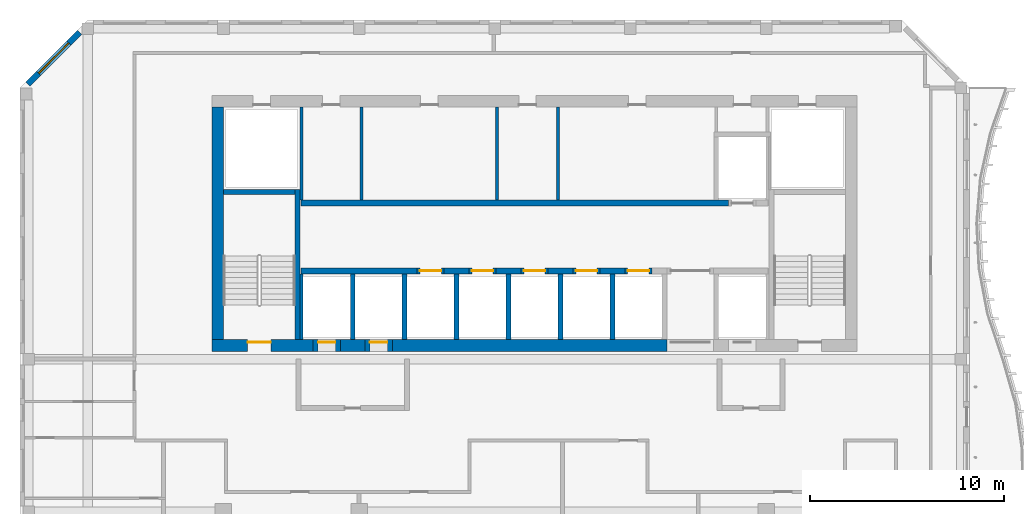
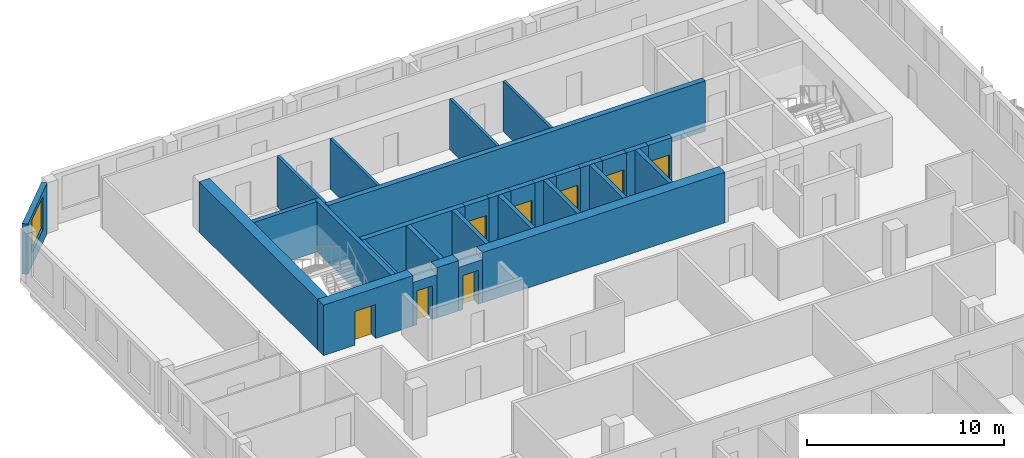
# One storey, part 6 of 17: 31 walls, 8 doors, 1 window, 9 openings.
"""IFC4 building model written with IfcOpenShell, lengths in metres."""

import ifcopenshell
import ifcopenshell.guid

model = None  # the IFC model being written
_history = None  # IfcOwnerHistory: only IFC2X3 demands one
_inside = {}  # id of a spatial element -> (the spatial element, [elements in it])
_under = {}  # id of a project, library or spatial element -> (it, [spatial elements below it])
_declared = {}  # id of a project -> (the project, [libraries it declares])
_typed = {}  # id of a type object -> (the type object, [elements of that type])
_made_of = {}  # id of a material, layer set ... -> (it, [elements and type objects made of it])


def new_model(schema):
    """Start an empty IFC model of exactly this schema.

    Asked for "IFC4X3", IfcOpenShell would pick the latest addendum, in which some entities
    have other attributes; the version numbers below select the first issue.
    IFC2X3 requires an IfcOwnerHistory on every rooted entity: one is made here for all.
    """
    global model, _history
    if schema == "IFC4X3":
        model = ifcopenshell.file(schema_version=(4, 3, 0, 0))
    else:
        model = ifcopenshell.file(schema=schema)
    _inside.clear()
    _under.clear()
    _declared.clear()
    _typed.clear()
    _made_of.clear()
    _history = None
    if model.schema == "IFC2X3":
        org = make("IfcOrganization", Name="unknown")
        user = make(
            "IfcPersonAndOrganization",
            ThePerson=make("IfcPerson", FamilyName="unknown"),
            TheOrganization=org,
        )
        app = make(
            "IfcApplication",
            ApplicationDeveloper=org,
            Version="unknown",
            ApplicationFullName="unknown",
            ApplicationIdentifier="unknown",
        )
        _history = make(
            "IfcOwnerHistory",
            OwningUser=user,
            OwningApplication=app,
            ChangeAction="ADDED",
            CreationDate=0,
        )
    return model


def make(cls, **values):
    """One entity of the class cls with the attributes given. An attribute that is None is left unset."""
    return model.create_entity(
        cls, **{name: value for name, value in values.items() if value is not None}
    )


def rooted(cls, **values):
    """An entity with a GlobalId (a new one), such as an element, a storey or a relation."""
    return make(cls, GlobalId=ifcopenshell.guid.new(), OwnerHistory=_history, **values)


def si_unit(unit_type, name, prefix=None):
    """IfcSIUnit, for example si_unit("LENGTHUNIT", "METRE", prefix="MILLI")."""
    return make("IfcSIUnit", UnitType=unit_type, Prefix=prefix, Name=name)


def assignment(units):
    """IfcUnitAssignment: the units of a project."""
    return None if units is None else make("IfcUnitAssignment", Units=units)


def point(xyz):
    """IfcCartesianPoint."""
    return None if xyz is None else make("IfcCartesianPoint", Coordinates=xyz)


def direction(xyz):
    """IfcDirection."""
    return None if xyz is None else make("IfcDirection", DirectionRatios=xyz)


def frame(location, z_axis=None, x_axis=None):
    """IfcAxis2Placement3D, a coordinate frame: its origin and axes. An axis left out is left unset."""
    return make(
        "IfcAxis2Placement3D",
        Location=point(location),
        Axis=direction(z_axis),
        RefDirection=direction(x_axis),
    )


def frame_2d(location, x_axis=None):
    """IfcAxis2Placement2D, a coordinate frame in the plane: its origin and x axis."""
    return make(
        "IfcAxis2Placement2D", Location=point(location), RefDirection=direction(x_axis)
    )


def origin():
    """The frame at (0, 0, 0) with its axes left unset."""
    return frame((0.0, 0.0, 0.0))


def place(relative_to, where):
    """IfcLocalPlacement: puts the frame where relative to a parent placement (None: the world)."""
    return make(
        "IfcLocalPlacement", PlacementRelTo=relative_to, RelativePlacement=where
    )


def context(
    kind, dimensions, precision=None, world=None, true_north=None, identifier=None
):
    """IfcGeometricRepresentationContext, for example the 3D "Model" context."""
    return make(
        "IfcGeometricRepresentationContext",
        ContextIdentifier=identifier,
        ContextType=kind,
        CoordinateSpaceDimension=dimensions,
        Precision=precision,
        WorldCoordinateSystem=world,
        TrueNorth=true_north,
    )


def subcontext(parent, identifier, kind, view, scale=None):
    """IfcGeometricRepresentationSubContext, for example "Body" below "Model"."""
    return make(
        "IfcGeometricRepresentationSubContext",
        ContextIdentifier=identifier,
        ContextType=kind,
        ParentContext=parent,
        TargetScale=scale,
        TargetView=view,
    )


def project(units=None, contexts=None):
    """IfcProject with its units and contexts."""
    return rooted(
        "IfcProject",
        Name="project",
        RepresentationContexts=contexts,
        UnitsInContext=assignment(units),
    )


def spatial(cls, under=None, at=None, **own):
    """A site, building, storey or space (cls), placed at a placement, below another one or the project."""
    s = rooted(cls, ObjectPlacement=at, **own)
    if under is not None:
        _under.setdefault(under.id(), (under, []))[1].append(s)
    return s


def profile(cls, at=None, kind="AREA", **sizes):
    """A parametric profile (cls). Its sizes go by their IFC names, for example OverallWidth=200.0."""
    return make(cls, ProfileType=kind, Position=at, **sizes)


def rectangle(**sizes):
    """IfcRectangleProfileDef."""
    return profile("IfcRectangleProfileDef", **sizes)


def extrude(swept, where, along, depth):
    """IfcExtrudedAreaSolid: the profile swept, set in the frame where, extruded along a direction by depth."""
    return make(
        "IfcExtrudedAreaSolid",
        SweptArea=swept,
        Position=where,
        ExtrudedDirection=direction(along),
        Depth=depth,
    )


def shape(context_of_items, identifier, shape_type, items):
    """IfcShapeRepresentation: the items that make up one representation, for example the "Body"."""
    return make(
        "IfcShapeRepresentation",
        ContextOfItems=context_of_items,
        RepresentationIdentifier=identifier,
        RepresentationType=shape_type,
        Items=items,
    )


def source(mapping_origin, context_of_items, identifier, shape_type, items):
    """IfcRepresentationMap: a shape defined once, which mapped items show again and again."""
    return make(
        "IfcRepresentationMap",
        MappingOrigin=mapping_origin,
        MappedRepresentation=shape(context_of_items, identifier, shape_type, items),
    )


def transform(
    local_origin,
    x_axis=None,
    y_axis=None,
    z_axis=None,
    scale=None,
    scale2=None,
    scale3=None,
    uniform=True,
):
    """IfcCartesianTransformationOperator3D, or its non-uniform kind. x_axis, y_axis, z_axis: its Axis1, 2, 3."""
    if uniform:
        return make(
            "IfcCartesianTransformationOperator3D",
            Axis1=direction(x_axis),
            Axis2=direction(y_axis),
            LocalOrigin=point(local_origin),
            Scale=scale,
            Axis3=direction(z_axis),
        )
    return make(
        "IfcCartesianTransformationOperator3DnonUniform",
        Axis1=direction(x_axis),
        Axis2=direction(y_axis),
        LocalOrigin=point(local_origin),
        Scale=scale,
        Axis3=direction(z_axis),
        Scale2=scale2,
        Scale3=scale3,
    )


def mapped(mapping_source, mapping_target):
    """IfcMappedItem: shows the shape of a source again, moved by a transform."""
    return make(
        "IfcMappedItem", MappingSource=mapping_source, MappingTarget=mapping_target
    )


def material(Name=None, Category=None):
    """IfcMaterial."""
    return make("IfcMaterial", Name=Name, Category=Category)


def layer(
    of_material, thickness, ventilated=None, Name=None, Category=None, Priority=None
):
    """IfcMaterialLayer: one layer of a wall or slab, of a material (None: an air gap)."""
    return make(
        "IfcMaterialLayer",
        Material=of_material,
        LayerThickness=thickness,
        IsVentilated=ventilated,
        Name=Name,
        Category=Category,
        Priority=Priority,
    )


def layer_set(layers, Name=None):
    """IfcMaterialLayerSet."""
    return make("IfcMaterialLayerSet", MaterialLayers=layers, LayerSetName=Name)


def made_of(thing, what):
    """Note that an element or type object is made of a material, layer set ...; save() writes the relation."""
    if what is not None:
        _made_of.setdefault(what.id(), (what, []))[1].append(thing)
    return thing


def type_object(cls, material=None, **own):
    """A type object (cls), such as IfcWallType, which elements share."""
    return made_of(rooted(cls, **own), material)


def element(
    cls,
    number,
    at=None,
    inside=None,
    cuts=None,
    type_object=None,
    material=None,
    context=None,
    identifier="Body",
    shape_type=None,
    held_by="IfcProductDefinitionShape",
    body=None,
    shapes=None,
    **own,
):
    """One element of the class cls, such as IfcWall. Its Tag is "e" and its number.

    at: its placement. inside: the storey or other place that contains it. cuts: it is an
    opening in that element (IfcRelVoidsElement). A single representation is given by context,
    identifier, shape_type and body (its items); several are given by shapes. held_by: the class
    of the entity that holds the representations. save() writes the other relations.
    """
    e = rooted(cls, Tag="e%d" % number, ObjectPlacement=at, **own)
    if body is not None:
        shapes = [shape(context, identifier, shape_type, body)]
    if shapes is not None:
        e.Representation = make(held_by, Representations=shapes)
    if inside is not None:
        _inside.setdefault(inside.id(), (inside, []))[1].append(e)
    if cuts is not None:
        rooted(
            "IfcRelVoidsElement", RelatingBuildingElement=cuts, RelatedOpeningElement=e
        )
    if type_object is not None:
        _typed.setdefault(type_object.id(), (type_object, []))[1].append(e)
    return made_of(e, material)


def fill(opening, filler):
    """IfcRelFillsElement: the door or window that sits in an opening."""
    return rooted(
        "IfcRelFillsElement",
        RelatingOpeningElement=opening,
        RelatedBuildingElement=filler,
    )


def aggregate(whole, parts):
    """IfcRelAggregates: a whole, such as a stair, and the parts it consists of."""
    return rooted("IfcRelAggregates", RelatingObject=whole, RelatedObjects=parts)


def save(model, path):
    """Write the relations noted so far, then the file.

    IfcRelAggregates (storeys below a building ...), IfcRelContainedInSpatialStructure (elements
    in a storey), IfcRelDefinesByType, IfcRelAssociatesMaterial and IfcRelDeclares: one each for
    every whole, place, type object, material and project.
    """
    for whole, parts in _under.values():
        aggregate(whole, parts)
    for where, things in _inside.values():
        rooted(
            "IfcRelContainedInSpatialStructure",
            RelatedElements=things,
            RelatingStructure=where,
        )
    for kind, things in _typed.values():
        rooted("IfcRelDefinesByType", RelatedObjects=things, RelatingType=kind)
    for what, things in _made_of.values():
        rooted("IfcRelAssociatesMaterial", RelatedObjects=things, RelatingMaterial=what)
    for by, libraries in _declared.values():
        rooted("IfcRelDeclares", RelatingContext=by, RelatedDefinitions=libraries)
    model.write(path)


model = new_model("IFC4")

# Units and contexts
model_context = context("Model", 3, precision=1e-05, world=origin(), true_north=direction((0.0, 1.0)))
body_context = subcontext(model_context, "Body", "Model", "MODEL_VIEW")
ifc_project = project(units=[si_unit("LENGTHUNIT", "METRE"), si_unit("AREAUNIT", "SQUARE_METRE"), si_unit("VOLUMEUNIT", "CUBIC_METRE"), si_unit("PLANEANGLEUNIT", "RADIAN"), si_unit("MASSUNIT", "GRAM", prefix="KILO")], contexts=[model_context])

# Site, building, storey
site_placement = place(None, origin())
site = spatial("IfcSite", under=ifc_project, at=site_placement, CompositionType="ELEMENT")
building_placement = place(site_placement, origin())
building = spatial("IfcBuilding", under=site, at=building_placement, Name="Kilnfold Tower and Market Hall", CompositionType="ELEMENT")
storey_placement = place(building_placement, frame((0.0, 0.0, 308.60009765625)))
storey = spatial("IfcBuildingStorey", under=building, at=storey_placement, Name="L77", CompositionType="ELEMENT", Elevation=308.60009765625)

# Walls
ifc_material_1 = material(Name="Concrete C50", Category="concrete")
ifc_layer_1 = layer(ifc_material_1, 0.25)
ifc_layer_set_1 = layer_set([ifc_layer_1], Name="Concrete C50")
wall_type_1 = type_object("IfcWallType", Name="CORE WALL 250 C50", PredefinedType="SHEAR", material=ifc_layer_set_1)
shared_shape_1 = source(origin(), body_context, "Body", "SweptSolid", [
    extrude(rectangle(XDim=7.75, YDim=0.25, at=frame_2d((3.875, 0.0))), origin(), (0.0, 0.0, 1.0), 3.119873046875),
])
wall_1_placement = place(storey_placement, frame((-11.175048828125, 9.0, 0.0), z_axis=(0.0, 0.0, 1.0), x_axis=(0.0, 1.0, 0.0)))
element("IfcWall", 1, at=wall_1_placement, inside=storey, type_object=wall_type_1, Name="Stair enclosure ST1", PredefinedType="SHEAR", context=body_context, shape_type="MappedRepresentation", body=[
    mapped(shared_shape_1, transform((0.0, 0.0, 0.0))),
])
shared_shape_2 = source(origin(), body_context, "Body", "SweptSolid", [
    extrude(rectangle(XDim=3.699951171875, YDim=0.25, at=frame_2d((1.85009765625, 0.0))), origin(), (0.0, 0.0, 1.0), 3.119873046875),
])
wall_2_placement = place(storey_placement, frame((-15.0, 16.625, 0.0), z_axis=(0.0, 0.0, 1.0), x_axis=(1.0, 0.0, 0.0)))
element("IfcWall", 2, at=wall_2_placement, inside=storey, type_object=wall_type_1, Name="Stair enclosure ST1", PredefinedType="SHEAR", context=body_context, shape_type="MappedRepresentation", body=[
    mapped(shared_shape_2, transform((0.0, 0.0, 0.0))),
])
ifc_material_2 = material(Name="Concrete C50", Category="concrete")
ifc_layer_2 = layer(ifc_material_2, 0.300048828125)
ifc_layer_set_2 = layer_set([ifc_layer_2], Name="Concrete C50")
wall_type_2 = type_object("IfcWallType", Name="CORE WALL 300 C50", PredefinedType="SHEAR", material=ifc_layer_set_2)
shared_shape_3 = source(origin(), body_context, "Body", "SweptSolid", [
    extrude(rectangle(XDim=6.0, YDim=0.300048828125, at=frame_2d((3.0, 0.0))), origin(), (0.0, 0.0, 1.0), 3.119873046875),
])
wall_3_placement = place(storey_placement, frame((-11.010009765625, 12.550048828125, 0.0), z_axis=(0.0, 0.0, 1.0), x_axis=(1.0, 0.0, 0.0)))
element("IfcWall", 3, at=wall_3_placement, inside=storey, type_object=wall_type_2, Name="Core spine wall", PredefinedType="SHEAR", context=body_context, shape_type="MappedRepresentation", body=[
    mapped(shared_shape_3, transform((0.0, 0.0, 0.0))),
])
shared_shape_4 = source(origin(), body_context, "Body", "SweptSolid", [
    extrude(rectangle(XDim=1.280029296875, YDim=0.300048828125, at=frame_2d((0.64013671875, 0.0))), origin(), (0.0, 0.0, 1.0), 3.119873046875),
])
for number, where, z_axis, x_axis, name in (
    (4, (-3.610107421875, 12.550048828125, 0.0), (0.0, 0.0, 1.0), (1.0, 0.0, 0.0), "Core spine wall"),
    (5, (-0.929931640625, 12.550048828125, 0.0), (0.0, 0.0, 1.0), (1.0, 0.0, 0.0), "Core spine wall"),
    (6, (1.75, 12.550048828125, 0.0), (0.0, 0.0, 1.0), (1.0, 0.0, 0.0), "Core spine wall"),
    (7, (4.429931640625, 12.550048828125, 0.0), (0.0, 0.0, 1.0), (1.0, 0.0, 0.0), "Core spine wall"),
):
    element("IfcWall", number, at=place(storey_placement, frame(where, z_axis=z_axis, x_axis=x_axis)), inside=storey, type_object=wall_type_2, Name=name, PredefinedType="SHEAR", context=body_context, shape_type="MappedRepresentation", body=[
        mapped(shared_shape_4, transform((0.0, 0.0, 0.0))),
    ])
shared_shape_5 = source(origin(), body_context, "Body", "SweptSolid", [
    extrude(rectangle(XDim=22.080078125, YDim=0.300048828125, at=frame_2d((11.0400390625, 0.0))), origin(), (0.0, 0.0, 1.0), 3.119873046875),
])
wall_4_placement = place(storey_placement, frame((-11.010009765625, 16.050048828125, 0.0), z_axis=(0.0, 0.0, 1.0), x_axis=(1.0, 0.0, 0.0)))
element("IfcWall", 8, at=wall_4_placement, inside=storey, type_object=wall_type_2, Name="Core spine wall", PredefinedType="SHEAR", context=body_context, shape_type="MappedRepresentation", body=[
    mapped(shared_shape_5, transform((0.0, 0.0, 0.0))),
])

# Wall, opening, door
ifc_material_3 = material(Name="Concrete C50", Category="concrete")
ifc_layer_3 = layer(ifc_material_3, 0.60009765625)
ifc_layer_set_3 = layer_set([ifc_layer_3], Name="Concrete C50")
wall_type_3 = type_object("IfcWallType", Name="CORE WALL 600 C50", PredefinedType="SHEAR", material=ifc_layer_set_3)
shared_shape_6 = source(origin(), body_context, "Body", "SweptSolid", [
    extrude(rectangle(XDim=5.22998046875, YDim=0.60009765625, at=frame_2d((2.614990234375, 0.0))), origin(), (0.0, 0.0, 1.0), 3.119873046875),
])
wall_5_placement = place(storey_placement, frame((-15.60009765625, 8.699951171875, 0.0), z_axis=(0.0, 0.0, 1.0), x_axis=(1.0, 0.0, 0.0)))
wall_5 = element("IfcWall", 9, at=wall_5_placement, inside=storey, type_object=wall_type_3, Name="Core outer wall south", PredefinedType="SHEAR", context=body_context, shape_type="MappedRepresentation", body=[
    mapped(shared_shape_6, transform((0.0, 0.0, 0.0))),
])
opening_1_placement = place(wall_5_placement, frame((1.85009765625, 0.0, 0.0)))
opening_1 = element("IfcOpeningElement", 10, at=opening_1_placement, cuts=wall_5, Name="Opening SD1", PredefinedType="OPENING", context=body_context, shape_type="SweptSolid", body=[
    extrude(rectangle(XDim=1.199951171875, YDim=2.10009765625, at=frame_2d((0.60009765625, 1.050048828125))), frame((0.0, 0.31005859375, 0.0), z_axis=(0.0, -1.0, 0.0), x_axis=(1.0, 0.0, 0.0)), (0.0, 0.0, 1.0), 0.6201171875),
])
ifc_material_4 = material(Name="Steel door set with fire-resisting leaf", Category="steel")
door_type_1 = type_object("IfcDoorType", Name="STAIR FLOOR DOOR 1200X2100", OperationType="NOTDEFINED", PredefinedType="DOOR", material=ifc_material_4)
door_1_placement = place(opening_1_placement, origin())
door_1 = element("IfcDoor", 11, at=door_1_placement, inside=storey, type_object=door_type_1, Name="Exit stair ST1 door", OperationType="DOUBLE_DOOR_SINGLE_SWING", OverallHeight=2.10009765625, OverallWidth=1.199951171875, PredefinedType="DOOR", context=body_context, shape_type="SweptSolid", body=[
    extrude(rectangle(XDim=1.199951171875, YDim=2.10009765625, at=frame_2d((0.60009765625, 1.050048828125))), frame((0.0, 0.205078125, 0.0), z_axis=(0.0, -1.0, 0.0), x_axis=(1.0, 0.0, 0.0)), (0.0, 0.0, 1.0), 0.050048828125),
])
fill(opening_1, door_1)

# Walls
shared_shape_7 = source(origin(), body_context, "Body", "SweptSolid", [
    extrude(rectangle(XDim=1.280029296875, YDim=0.60009765625, at=frame_2d((0.64013671875, 0.0))), origin(), (0.0, 0.0, 1.0), 3.119873046875),
])
wall_6_placement = place(storey_placement, frame((-8.969970703125, 8.699951171875, 0.0), z_axis=(0.0, 0.0, 1.0), x_axis=(1.0, 0.0, 0.0)))
element("IfcWall", 12, at=wall_6_placement, inside=storey, type_object=wall_type_3, Name="Core outer wall south", PredefinedType="SHEAR", context=body_context, shape_type="MappedRepresentation", body=[
    mapped(shared_shape_7, transform((0.0, 0.0, 0.0))),
])
shared_shape_8 = source(origin(), body_context, "Body", "SweptSolid", [
    extrude(rectangle(XDim=14.179931640625, YDim=0.60009765625, at=frame_2d((7.08984375, 0.0))), origin(), (0.0, 0.0, 1.0), 3.119873046875),
])
wall_7_placement = place(storey_placement, frame((-6.2900390625, 8.699951171875, 0.0), z_axis=(0.0, 0.0, 1.0), x_axis=(1.0, 0.0, 0.0)))
element("IfcWall", 13, at=wall_7_placement, inside=storey, type_object=wall_type_3, Name="Core outer wall south", PredefinedType="SHEAR", context=body_context, shape_type="MappedRepresentation", body=[
    mapped(shared_shape_8, transform((0.0, 0.0, 0.0))),
])
shared_shape_9 = source(origin(), body_context, "Body", "SweptSolid", [
    extrude(rectangle(XDim=12.0, YDim=0.60009765625, at=frame_2d((6.0, 0.0))), origin(), (0.0, 0.0, 1.0), 3.119873046875),
])
wall_8_placement = place(storey_placement, frame((-15.300048828125, 9.0, 0.0), z_axis=(0.0, 0.0, 1.0), x_axis=(0.0, 1.0, 0.0)))
element("IfcWall", 14, at=wall_8_placement, inside=storey, type_object=wall_type_3, Name="Core outer wall west", PredefinedType="SHEAR", context=body_context, shape_type="MappedRepresentation", body=[
    mapped(shared_shape_9, transform((0.0, 0.0, 0.0))),
])

# Wall, opening, window
ifc_material_5 = material(Name="Precast concrete C50/60", Category="concrete")
ifc_layer_4 = layer(ifc_material_5, 0.300048828125)
ifc_layer_set_4 = layer_set([ifc_layer_4], Name="Precast concrete C50/60")
wall_type_4 = type_object("IfcWallType", Name="PRECAST WALL 300", PredefinedType="SOLIDWALL", material=ifc_layer_set_4)
shared_shape_10 = source(origin(), body_context, "Body", "SweptSolid", [
    extrude(rectangle(XDim=3.783203125, YDim=0.300048828125, at=frame_2d((1.8916015625, 0.0))), origin(), (0.0, 0.0, 1.0), 3.119873046875),
])
wall_9_placement = place(storey_placement, frame((-22.4189453125, 24.868896484375, 0.0), z_axis=(0.0, 0.0, 1.0), x_axis=(-0.707106781187, -0.707106781187, 0.0)))
wall_9 = element("IfcWall", 15, at=wall_9_placement, inside=storey, type_object=wall_type_4, Name="External wall L77 NW", PredefinedType="SOLIDWALL", context=body_context, shape_type="MappedRepresentation", body=[
    mapped(shared_shape_10, transform((0.0, 0.0, 0.0))),
])
opening_2_placement = place(wall_9_placement, frame((0.79150390625, 0.0, 0.800048828125)))
opening_2 = element("IfcOpeningElement", 16, at=opening_2_placement, cuts=wall_9, Name="Opening W3", PredefinedType="OPENING", context=body_context, shape_type="SweptSolid", body=[
    extrude(rectangle(XDim=2.199951171875, YDim=2.050048828125, at=frame_2d((1.10009765625, 1.02490234375))), frame((0.0, 0.16015625, 0.0), z_axis=(0.0, -1.0, 0.0), x_axis=(1.0, 0.0, 0.0)), (0.0, 0.0, 1.0), 0.320068359375),
])
ifc_material_6 = material(Name="Aluminium frame and double glazing", Category="aluminium")
window_type = type_object("IfcWindowType", Name="WINDOW W3 2200X2050", PartitioningType="SINGLE_PANEL", PredefinedType="WINDOW", material=ifc_material_6)
window_placement = place(opening_2_placement, origin())
window = element("IfcWindow", 17, at=window_placement, inside=storey, type_object=window_type, Name="Window W3 L77 NW-1", OverallHeight=2.050048828125, OverallWidth=2.199951171875, PartitioningType="SINGLE_PANEL", PredefinedType="WINDOW", context=body_context, shape_type="SweptSolid", body=[
    extrude(rectangle(XDim=2.199951171875, YDim=2.050048828125, at=frame_2d((1.10009765625, 1.02490234375))), frame((0.0, 0.030029296875, 0.0), z_axis=(0.0, -1.0, 0.0), x_axis=(1.0, 0.0, 0.0)), (0.0, 0.0, 1.0), 0.06005859375),
])
fill(opening_2, window)

# Wall, opening, door
ifc_material_7 = material(Name="Gypsum shaft wall system")
ifc_layer_5 = layer(ifc_material_7, 0.300048828125)
ifc_layer_set_5 = layer_set([ifc_layer_5], Name="Gypsum shaft wall system")
wall_type_5 = type_object("IfcWallType", Name="SHAFT WALL 300", PredefinedType="PARTITIONING", material=ifc_layer_set_5)
shared_shape_11 = source(origin(), body_context, "Body", "SweptSolid", [
    extrude(rectangle(XDim=1.39990234375, YDim=0.300048828125, at=frame_2d((0.699951171875, 0.0))), origin(), (0.0, 0.0, 1.0), 3.119873046875),
])
wall_10_placement = place(storey_placement, frame((-5.010009765625, 12.550048828125, 0.0), z_axis=(0.0, 0.0, 1.0), x_axis=(1.0, 0.0, 0.0)))
wall_10 = element("IfcWall", 18, at=wall_10_placement, inside=storey, type_object=wall_type_5, Name="Lift shaft front wall", PredefinedType="PARTITIONING", context=body_context, shape_type="MappedRepresentation", body=[
    mapped(shared_shape_11, transform((0.0, 0.0, 0.0))),
])
opening_3_placement = place(wall_10_placement, frame((0.14990234375, 0.0, 0.0)))
opening_3 = element("IfcOpeningElement", 19, at=opening_3_placement, cuts=wall_10, Name="Opening LD2", PredefinedType="OPENING", context=body_context, shape_type="SweptSolid", body=[
    extrude(rectangle(XDim=1.10009765625, YDim=2.10009765625, at=frame_2d((0.550048828125, 1.050048828125))), frame((0.0, 0.16015625, 0.0), z_axis=(0.0, -1.0, 0.0), x_axis=(1.0, 0.0, 0.0)), (0.0, 0.0, 1.0), 0.320068359375),
])
ifc_material_8 = material(Name="Steel door set with fire-resisting leaf", Category="steel")
door_type_2 = type_object("IfcDoorType", Name="LANDING DOOR 1100X2100", OperationType="NOTDEFINED", PredefinedType="DOOR", material=ifc_material_8)
door_2_placement = place(opening_3_placement, origin())
door_2 = element("IfcDoor", 20, at=door_2_placement, inside=storey, type_object=door_type_2, Name="Landing door HR1", OperationType="DOUBLE_DOOR_SLIDING", OverallHeight=2.10009765625, OverallWidth=1.10009765625, PredefinedType="DOOR", context=body_context, shape_type="SweptSolid", body=[
    extrude(rectangle(XDim=1.10009765625, YDim=2.10009765625, at=frame_2d((0.550048828125, 1.050048828125))), frame((0.0, 0.02490234375, 0.0), z_axis=(0.0, -1.0, 0.0), x_axis=(1.0, 0.0, 0.0)), (0.0, 0.0, 1.0), 0.050048828125),
])
fill(opening_3, door_2)

wall_11_placement = place(storey_placement, frame((0.35009765625, 12.550048828125, 0.0), z_axis=(0.0, 0.0, 1.0), x_axis=(1.0, 0.0, 0.0)))
wall_11 = element("IfcWall", 21, at=wall_11_placement, inside=storey, type_object=wall_type_5, Name="Lift shaft front wall", PredefinedType="PARTITIONING", context=body_context, shape_type="MappedRepresentation", body=[
    mapped(shared_shape_11, transform((0.0, 0.0, 0.0))),
])
opening_4_placement = place(wall_11_placement, frame((0.14990234375, 0.0, 0.0)))
opening_4 = element("IfcOpeningElement", 22, at=opening_4_placement, cuts=wall_11, Name="Opening LD2", PredefinedType="OPENING", context=body_context, shape_type="SweptSolid", body=[
    extrude(rectangle(XDim=1.10009765625, YDim=2.10009765625, at=frame_2d((0.550048828125, 1.050048828125))), frame((0.0, 0.16015625, 0.0), z_axis=(0.0, -1.0, 0.0), x_axis=(1.0, 0.0, 0.0)), (0.0, 0.0, 1.0), 0.320068359375),
])
door_3_placement = place(opening_4_placement, origin())
door_3 = element("IfcDoor", 23, at=door_3_placement, inside=storey, type_object=door_type_2, Name="Landing door HR3", OperationType="DOUBLE_DOOR_SLIDING", OverallHeight=2.10009765625, OverallWidth=1.10009765625, PredefinedType="DOOR", context=body_context, shape_type="SweptSolid", body=[
    extrude(rectangle(XDim=1.10009765625, YDim=2.10009765625, at=frame_2d((0.550048828125, 1.050048828125))), frame((0.0, 0.02490234375, 0.0), z_axis=(0.0, -1.0, 0.0), x_axis=(1.0, 0.0, 0.0)), (0.0, 0.0, 1.0), 0.050048828125),
])
fill(opening_4, door_3)

wall_12_placement = place(storey_placement, frame((3.030029296875, 12.550048828125, 0.0), z_axis=(0.0, 0.0, 1.0), x_axis=(1.0, 0.0, 0.0)))
wall_12 = element("IfcWall", 24, at=wall_12_placement, inside=storey, type_object=wall_type_5, Name="Lift shaft front wall", PredefinedType="PARTITIONING", context=body_context, shape_type="MappedRepresentation", body=[
    mapped(shared_shape_11, transform((0.0, 0.0, 0.0))),
])
opening_5_placement = place(wall_12_placement, frame((0.14990234375, 0.0, 0.0)))
opening_5 = element("IfcOpeningElement", 25, at=opening_5_placement, cuts=wall_12, Name="Opening LD2", PredefinedType="OPENING", context=body_context, shape_type="SweptSolid", body=[
    extrude(rectangle(XDim=1.10009765625, YDim=2.10009765625, at=frame_2d((0.550048828125, 1.050048828125))), frame((0.0, 0.16015625, 0.0), z_axis=(0.0, -1.0, 0.0), x_axis=(1.0, 0.0, 0.0)), (0.0, 0.0, 1.0), 0.320068359375),
])
door_4_placement = place(opening_5_placement, origin())
door_4 = element("IfcDoor", 26, at=door_4_placement, inside=storey, type_object=door_type_2, Name="Landing door HR4", OperationType="DOUBLE_DOOR_SLIDING", OverallHeight=2.10009765625, OverallWidth=1.10009765625, PredefinedType="DOOR", context=body_context, shape_type="SweptSolid", body=[
    extrude(rectangle(XDim=1.10009765625, YDim=2.10009765625, at=frame_2d((0.550048828125, 1.050048828125))), frame((0.0, 0.02490234375, 0.0), z_axis=(0.0, -1.0, 0.0), x_axis=(1.0, 0.0, 0.0)), (0.0, 0.0, 1.0), 0.050048828125),
])
fill(opening_5, door_4)

shared_shape_12 = source(origin(), body_context, "Body", "SweptSolid", [
    extrude(rectangle(XDim=1.400146484375, YDim=0.300048828125, at=frame_2d((0.7001953125, 0.0))), origin(), (0.0, 0.0, 1.0), 3.119873046875),
])
wall_13_placement = place(storey_placement, frame((-2.330078125, 12.550048828125, 0.0), z_axis=(0.0, 0.0, 1.0), x_axis=(1.0, 0.0, 0.0)))
wall_13 = element("IfcWall", 27, at=wall_13_placement, inside=storey, type_object=wall_type_5, Name="Lift shaft front wall", PredefinedType="PARTITIONING", context=body_context, shape_type="MappedRepresentation", body=[
    mapped(shared_shape_12, transform((0.0, 0.0, 0.0))),
])
opening_6_placement = place(wall_13_placement, frame((0.14990234375, 0.0, 0.0)))
opening_6 = element("IfcOpeningElement", 28, at=opening_6_placement, cuts=wall_13, Name="Opening LD2", PredefinedType="OPENING", context=body_context, shape_type="SweptSolid", body=[
    extrude(rectangle(XDim=1.10009765625, YDim=2.10009765625, at=frame_2d((0.550048828125, 1.050048828125))), frame((0.0, 0.16015625, 0.0), z_axis=(0.0, -1.0, 0.0), x_axis=(1.0, 0.0, 0.0)), (0.0, 0.0, 1.0), 0.320068359375),
])
door_5_placement = place(opening_6_placement, origin())
door_5 = element("IfcDoor", 29, at=door_5_placement, inside=storey, type_object=door_type_2, Name="Landing door HR2", OperationType="DOUBLE_DOOR_SLIDING", OverallHeight=2.10009765625, OverallWidth=1.10009765625, PredefinedType="DOOR", context=body_context, shape_type="SweptSolid", body=[
    extrude(rectangle(XDim=1.10009765625, YDim=2.10009765625, at=frame_2d((0.550048828125, 1.050048828125))), frame((0.0, 0.02490234375, 0.0), z_axis=(0.0, -1.0, 0.0), x_axis=(1.0, 0.0, 0.0)), (0.0, 0.0, 1.0), 0.050048828125),
])
fill(opening_6, door_5)

wall_14_placement = place(storey_placement, frame((5.7099609375, 12.550048828125, 0.0), z_axis=(0.0, 0.0, 1.0), x_axis=(1.0, 0.0, 0.0)))
wall_14 = element("IfcWall", 30, at=wall_14_placement, inside=storey, type_object=wall_type_5, Name="Lift shaft front wall", PredefinedType="PARTITIONING", context=body_context, shape_type="MappedRepresentation", body=[
    mapped(shared_shape_12, transform((0.0, 0.0, 0.0))),
])
opening_7_placement = place(wall_14_placement, frame((0.14990234375, 0.0, 0.0)))
opening_7 = element("IfcOpeningElement", 31, at=opening_7_placement, cuts=wall_14, Name="Opening LD2", PredefinedType="OPENING", context=body_context, shape_type="SweptSolid", body=[
    extrude(rectangle(XDim=1.10009765625, YDim=2.10009765625, at=frame_2d((0.550048828125, 1.050048828125))), frame((0.0, 0.16015625, 0.0), z_axis=(0.0, -1.0, 0.0), x_axis=(1.0, 0.0, 0.0)), (0.0, 0.0, 1.0), 0.320068359375),
])
door_6_placement = place(opening_7_placement, origin())
door_6 = element("IfcDoor", 32, at=door_6_placement, inside=storey, type_object=door_type_2, Name="Landing door HR5", OperationType="DOUBLE_DOOR_SLIDING", OverallHeight=2.10009765625, OverallWidth=1.10009765625, PredefinedType="DOOR", context=body_context, shape_type="SweptSolid", body=[
    extrude(rectangle(XDim=1.10009765625, YDim=2.10009765625, at=frame_2d((0.550048828125, 1.050048828125))), frame((0.0, 0.02490234375, 0.0), z_axis=(0.0, -1.0, 0.0), x_axis=(1.0, 0.0, 0.0)), (0.0, 0.0, 1.0), 0.050048828125),
])
fill(opening_7, door_6)

# Walls
ifc_material_9 = material(Name="Gypsum shaft wall system")
ifc_layer_6 = layer(ifc_material_9, 0.1650390625)
ifc_layer_set_6 = layer_set([ifc_layer_6], Name="Gypsum shaft wall system")
wall_type_6 = type_object("IfcWallType", Name="SHAFT WALL 165", PredefinedType="PARTITIONING", material=ifc_layer_set_6)
shared_shape_13 = source(origin(), body_context, "Body", "SweptSolid", [
    extrude(rectangle(XDim=4.800048828125, YDim=0.1650390625, at=frame_2d((2.39990234375, 0.0))), origin(), (0.0, 0.0, 1.0), 3.119873046875),
])
wall_15_placement = place(storey_placement, frame((-10.967529296875, 16.199951171875, 0.0), z_axis=(0.0, 0.0, 1.0), x_axis=(0.0, 1.0, 0.0)))
element("IfcWall", 33, at=wall_15_placement, inside=storey, type_object=wall_type_6, Name="Lift shaft wall", PredefinedType="PARTITIONING", context=body_context, shape_type="MappedRepresentation", body=[
    mapped(shared_shape_13, transform((0.0, 0.0, 0.0))),
])
ifc_material_10 = material(Name="Gypsum shaft wall system")
ifc_layer_7 = layer(ifc_material_10, 0.25)
ifc_layer_set_7 = layer_set([ifc_layer_7], Name="Gypsum shaft wall system")
wall_type_7 = type_object("IfcWallType", Name="SHAFT WALL 250", PredefinedType="PARTITIONING", material=ifc_layer_set_7)
shared_shape_14 = source(origin(), body_context, "Body", "SweptSolid", [
    extrude(rectangle(XDim=3.39990234375, YDim=0.25, at=frame_2d((1.699951171875, 0.0))), origin(), (0.0, 0.0, 1.0), 3.119873046875),
])
for number, where, z_axis, x_axis, name in (
    (34, (2.389892578125, 9.0, 0.0), (0.0, 0.0, 1.0), (0.0, 1.0, 0.0), "Lift shaft wall"),
    (35, (5.070068359375, 9.0, 0.0), (0.0, 0.0, 1.0), (0.0, 1.0, 0.0), "Lift shaft wall"),
    (36, (-0.2900390625, 9.0, 0.0), (0.0, 0.0, 1.0), (0.0, 1.0, 0.0), "Lift shaft wall"),
    (37, (-2.969970703125, 9.0, 0.0), (0.0, 0.0, 1.0), (0.0, 1.0, 0.0), "Lift shaft wall"),
    (38, (-5.64990234375, 9.0, 0.0), (0.0, 0.0, 1.0), (0.0, 1.0, 0.0), "Lift shaft wall"),
    (39, (-8.330078125, 9.0, 0.0), (0.0, 0.0, 1.0), (0.0, 1.0, 0.0), "Lift shaft wall"),
):
    element("IfcWall", number, at=place(storey_placement, frame(where, z_axis=z_axis, x_axis=x_axis)), inside=storey, type_object=wall_type_7, Name=name, PredefinedType="PARTITIONING", context=body_context, shape_type="MappedRepresentation", body=[
        mapped(shared_shape_14, transform((0.0, 0.0, 0.0))),
    ])
shared_shape_15 = source(origin(), body_context, "Body", "SweptSolid", [
    extrude(rectangle(XDim=3.39990234375, YDim=0.1650390625, at=frame_2d((1.699951171875, 0.0))), origin(), (0.0, 0.0, 1.0), 3.119873046875),
])
wall_16_placement = place(storey_placement, frame((-10.967529296875, 9.0, 0.0), z_axis=(0.0, 0.0, 1.0), x_axis=(0.0, 1.0, 0.0)))
element("IfcWall", 40, at=wall_16_placement, inside=storey, type_object=wall_type_6, Name="Lift shaft wall", PredefinedType="PARTITIONING", context=body_context, shape_type="MappedRepresentation", body=[
    mapped(shared_shape_15, transform((0.0, 0.0, 0.0))),
])
ifc_material_11 = material(Name="Gypsum shaft wall system")
ifc_layer_8 = layer(ifc_material_11, 0.14990234375)
ifc_layer_set_8 = layer_set([ifc_layer_8], Name="Gypsum shaft wall system")
wall_type_8 = type_object("IfcWallType", Name="ROOM WALL 150", PredefinedType="PARTITIONING", material=ifc_layer_set_8)
shared_shape_16 = source(origin(), body_context, "Body", "SweptSolid", [
    extrude(rectangle(XDim=4.800048828125, YDim=0.14990234375, at=frame_2d((2.39990234375, 0.0))), origin(), (0.0, 0.0, 1.0), 3.119873046875),
])
for number, where, z_axis, x_axis, name in (
    (41, (-7.87451171875, 16.199951171875, 0.0), (0.0, 0.0, 1.0), (0.0, 1.0, 0.0), "Core room wall"),
    (42, (-0.879638671875, 16.199951171875, 0.0), (0.0, 0.0, 1.0), (0.0, 1.0, 0.0), "Core room wall"),
    (43, (2.256103515625, 16.199951171875, 0.0), (0.0, 0.0, 1.0), (0.0, 1.0, 0.0), "Core room wall"),
):
    element("IfcWall", number, at=place(storey_placement, frame(where, z_axis=z_axis, x_axis=x_axis)), inside=storey, type_object=wall_type_8, Name=name, PredefinedType="PARTITIONING", context=body_context, shape_type="MappedRepresentation", body=[
        mapped(shared_shape_16, transform((0.0, 0.0, 0.0))),
    ])

# Wall, opening, door
ifc_material_12 = material(Name="Gypsum shaft wall system")
ifc_layer_9 = layer(ifc_material_12, 0.60009765625)
ifc_layer_set_9 = layer_set([ifc_layer_9], Name="Gypsum shaft wall system")
wall_type_9 = type_object("IfcWallType", Name="LOBBY WALL 600", PredefinedType="PARTITIONING", material=ifc_layer_set_9)
shared_shape_17 = source(origin(), body_context, "Body", "SweptSolid", [
    extrude(rectangle(XDim=1.400146484375, YDim=0.60009765625, at=frame_2d((0.7001953125, 0.0))), origin(), (0.0, 0.0, 1.0), 2.699951171875),
])
wall_17_placement = place(storey_placement, frame((-10.3701171875, 8.699951171875, 0.0), z_axis=(0.0, 0.0, 1.0), x_axis=(1.0, 0.0, 0.0)))
wall_17 = element("IfcWall", 44, at=wall_17_placement, inside=storey, type_object=wall_type_9, Name="Core wall infill", PredefinedType="PARTITIONING", context=body_context, shape_type="MappedRepresentation", body=[
    mapped(shared_shape_17, transform((0.0, 0.0, 0.0))),
])
opening_8_placement = place(wall_17_placement, frame((0.25, 0.0, 0.0)))
opening_8 = element("IfcOpeningElement", 45, at=opening_8_placement, cuts=wall_17, Name="Opening LD1", PredefinedType="OPENING", context=body_context, shape_type="SweptSolid", body=[
    extrude(rectangle(XDim=0.89990234375, YDim=2.10009765625, at=frame_2d((0.449951171875, 1.050048828125))), frame((0.0, 0.31005859375, 0.0), z_axis=(0.0, -1.0, 0.0), x_axis=(1.0, 0.0, 0.0)), (0.0, 0.0, 1.0), 0.6201171875),
])
ifc_material_13 = material(Name="Steel door set with fire-resisting leaf", Category="steel")
door_type_3 = type_object("IfcDoorType", Name="FIREFIGHTING LANDING DOOR 900X2100", OperationType="NOTDEFINED", PredefinedType="DOOR", material=ifc_material_13)
door_7_placement = place(opening_8_placement, origin())
door_7 = element("IfcDoor", 46, at=door_7_placement, inside=storey, type_object=door_type_3, Name="Landing door FF1", OperationType="SLIDING_TO_LEFT", OverallHeight=2.10009765625, OverallWidth=0.89990234375, PredefinedType="DOOR", context=body_context, shape_type="SweptSolid", body=[
    extrude(rectangle(XDim=0.89990234375, YDim=2.10009765625, at=frame_2d((0.449951171875, 1.050048828125))), frame((0.0, 0.205078125, 0.0), z_axis=(0.0, -1.0, 0.0), x_axis=(1.0, 0.0, 0.0)), (0.0, 0.0, 1.0), 0.050048828125),
])
fill(opening_8, door_7)

shared_shape_18 = source(origin(), body_context, "Body", "SweptSolid", [
    extrude(rectangle(XDim=1.39990234375, YDim=0.60009765625, at=frame_2d((0.699951171875, 0.0))), origin(), (0.0, 0.0, 1.0), 2.699951171875),
])
wall_18_placement = place(storey_placement, frame((-7.68994140625, 8.699951171875, 0.0), z_axis=(0.0, 0.0, 1.0), x_axis=(1.0, 0.0, 0.0)))
wall_18 = element("IfcWall", 47, at=wall_18_placement, inside=storey, type_object=wall_type_9, Name="Core wall infill", PredefinedType="PARTITIONING", context=body_context, shape_type="MappedRepresentation", body=[
    mapped(shared_shape_18, transform((0.0, 0.0, 0.0))),
])
opening_9_placement = place(wall_18_placement, frame((0.25, 0.0, 0.0)))
opening_9 = element("IfcOpeningElement", 48, at=opening_9_placement, cuts=wall_18, Name="Opening LD1", PredefinedType="OPENING", context=body_context, shape_type="SweptSolid", body=[
    extrude(rectangle(XDim=0.89990234375, YDim=2.10009765625, at=frame_2d((0.449951171875, 1.050048828125))), frame((0.0, 0.31005859375, 0.0), z_axis=(0.0, -1.0, 0.0), x_axis=(1.0, 0.0, 0.0)), (0.0, 0.0, 1.0), 0.6201171875),
])
door_8_placement = place(opening_9_placement, origin())
door_8 = element("IfcDoor", 49, at=door_8_placement, inside=storey, type_object=door_type_3, Name="Landing door FF2", OperationType="SLIDING_TO_RIGHT", OverallHeight=2.10009765625, OverallWidth=0.89990234375, PredefinedType="DOOR", context=body_context, shape_type="SweptSolid", body=[
    extrude(rectangle(XDim=0.89990234375, YDim=2.10009765625, at=frame_2d((0.449951171875, 1.050048828125))), frame((0.0, 0.205078125, 0.0), z_axis=(0.0, -1.0, 0.0), x_axis=(1.0, 0.0, 0.0)), (0.0, 0.0, 1.0), 0.050048828125),
])
fill(opening_9, door_8)

save(model, "model.ifc")
